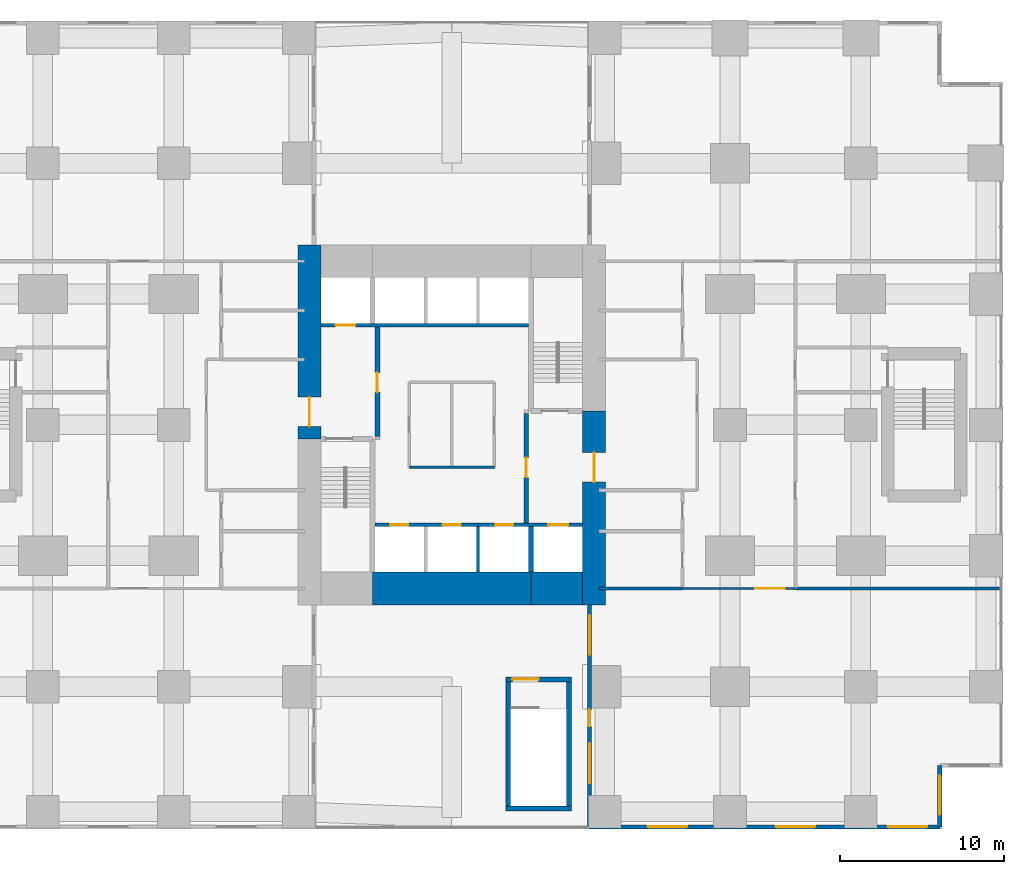
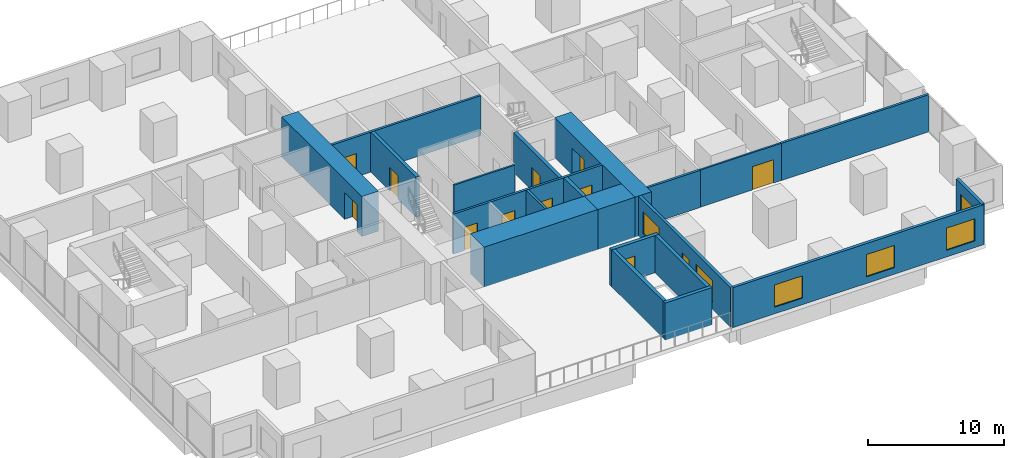
# One storey, part 11 of 15: 21 walls, 12 doors, 6 windows, 18 openings.
"""IFC4 building model written with IfcOpenShell, lengths in metres."""

import ifcopenshell
import ifcopenshell.guid

model = None  # the IFC model being written
_history = None  # IfcOwnerHistory: only IFC2X3 demands one
_inside = {}  # id of a spatial element -> (the spatial element, [elements in it])
_under = {}  # id of a project, library or spatial element -> (it, [spatial elements below it])
_declared = {}  # id of a project -> (the project, [libraries it declares])
_typed = {}  # id of a type object -> (the type object, [elements of that type])
_made_of = {}  # id of a material, layer set ... -> (it, [elements and type objects made of it])


def new_model(schema):
    """Start an empty IFC model of exactly this schema.

    Asked for "IFC4X3", IfcOpenShell would pick the latest addendum, in which some entities
    have other attributes; the version numbers below select the first issue.
    IFC2X3 requires an IfcOwnerHistory on every rooted entity: one is made here for all.
    """
    global model, _history
    if schema == "IFC4X3":
        model = ifcopenshell.file(schema_version=(4, 3, 0, 0))
    else:
        model = ifcopenshell.file(schema=schema)
    _inside.clear()
    _under.clear()
    _declared.clear()
    _typed.clear()
    _made_of.clear()
    _history = None
    if model.schema == "IFC2X3":
        org = make("IfcOrganization", Name="unknown")
        user = make(
            "IfcPersonAndOrganization",
            ThePerson=make("IfcPerson", FamilyName="unknown"),
            TheOrganization=org,
        )
        app = make(
            "IfcApplication",
            ApplicationDeveloper=org,
            Version="unknown",
            ApplicationFullName="unknown",
            ApplicationIdentifier="unknown",
        )
        _history = make(
            "IfcOwnerHistory",
            OwningUser=user,
            OwningApplication=app,
            ChangeAction="ADDED",
            CreationDate=0,
        )
    return model


def make(cls, **values):
    """One entity of the class cls with the attributes given. An attribute that is None is left unset."""
    return model.create_entity(
        cls, **{name: value for name, value in values.items() if value is not None}
    )


def rooted(cls, **values):
    """An entity with a GlobalId (a new one), such as an element, a storey or a relation."""
    return make(cls, GlobalId=ifcopenshell.guid.new(), OwnerHistory=_history, **values)


def si_unit(unit_type, name, prefix=None):
    """IfcSIUnit, for example si_unit("LENGTHUNIT", "METRE", prefix="MILLI")."""
    return make("IfcSIUnit", UnitType=unit_type, Prefix=prefix, Name=name)


def assignment(units):
    """IfcUnitAssignment: the units of a project."""
    return None if units is None else make("IfcUnitAssignment", Units=units)


def point(xyz):
    """IfcCartesianPoint."""
    return None if xyz is None else make("IfcCartesianPoint", Coordinates=xyz)


def direction(xyz):
    """IfcDirection."""
    return None if xyz is None else make("IfcDirection", DirectionRatios=xyz)


def frame(location, z_axis=None, x_axis=None):
    """IfcAxis2Placement3D, a coordinate frame: its origin and axes. An axis left out is left unset."""
    return make(
        "IfcAxis2Placement3D",
        Location=point(location),
        Axis=direction(z_axis),
        RefDirection=direction(x_axis),
    )


def frame_2d(location, x_axis=None):
    """IfcAxis2Placement2D, a coordinate frame in the plane: its origin and x axis."""
    return make(
        "IfcAxis2Placement2D", Location=point(location), RefDirection=direction(x_axis)
    )


def origin():
    """The frame at (0, 0, 0) with its axes left unset."""
    return frame((0.0, 0.0, 0.0))


def place(relative_to, where):
    """IfcLocalPlacement: puts the frame where relative to a parent placement (None: the world)."""
    return make(
        "IfcLocalPlacement", PlacementRelTo=relative_to, RelativePlacement=where
    )


def context(
    kind, dimensions, precision=None, world=None, true_north=None, identifier=None
):
    """IfcGeometricRepresentationContext, for example the 3D "Model" context."""
    return make(
        "IfcGeometricRepresentationContext",
        ContextIdentifier=identifier,
        ContextType=kind,
        CoordinateSpaceDimension=dimensions,
        Precision=precision,
        WorldCoordinateSystem=world,
        TrueNorth=true_north,
    )


def subcontext(parent, identifier, kind, view, scale=None):
    """IfcGeometricRepresentationSubContext, for example "Body" below "Model"."""
    return make(
        "IfcGeometricRepresentationSubContext",
        ContextIdentifier=identifier,
        ContextType=kind,
        ParentContext=parent,
        TargetScale=scale,
        TargetView=view,
    )


def project(units=None, contexts=None):
    """IfcProject with its units and contexts."""
    return rooted(
        "IfcProject",
        Name="project",
        RepresentationContexts=contexts,
        UnitsInContext=assignment(units),
    )


def spatial(cls, under=None, at=None, **own):
    """A site, building, storey or space (cls), placed at a placement, below another one or the project."""
    s = rooted(cls, ObjectPlacement=at, **own)
    if under is not None:
        _under.setdefault(under.id(), (under, []))[1].append(s)
    return s


def profile(cls, at=None, kind="AREA", **sizes):
    """A parametric profile (cls). Its sizes go by their IFC names, for example OverallWidth=200.0."""
    return make(cls, ProfileType=kind, Position=at, **sizes)


def rectangle(**sizes):
    """IfcRectangleProfileDef."""
    return profile("IfcRectangleProfileDef", **sizes)


def extrude(swept, where, along, depth):
    """IfcExtrudedAreaSolid: the profile swept, set in the frame where, extruded along a direction by depth."""
    return make(
        "IfcExtrudedAreaSolid",
        SweptArea=swept,
        Position=where,
        ExtrudedDirection=direction(along),
        Depth=depth,
    )


def shape(context_of_items, identifier, shape_type, items):
    """IfcShapeRepresentation: the items that make up one representation, for example the "Body"."""
    return make(
        "IfcShapeRepresentation",
        ContextOfItems=context_of_items,
        RepresentationIdentifier=identifier,
        RepresentationType=shape_type,
        Items=items,
    )


def material(Name=None, Category=None):
    """IfcMaterial."""
    return make("IfcMaterial", Name=Name, Category=Category)


def layer(
    of_material, thickness, ventilated=None, Name=None, Category=None, Priority=None
):
    """IfcMaterialLayer: one layer of a wall or slab, of a material (None: an air gap)."""
    return make(
        "IfcMaterialLayer",
        Material=of_material,
        LayerThickness=thickness,
        IsVentilated=ventilated,
        Name=Name,
        Category=Category,
        Priority=Priority,
    )


def layer_set(layers, Name=None):
    """IfcMaterialLayerSet."""
    return make("IfcMaterialLayerSet", MaterialLayers=layers, LayerSetName=Name)


def made_of(thing, what):
    """Note that an element or type object is made of a material, layer set ...; save() writes the relation."""
    if what is not None:
        _made_of.setdefault(what.id(), (what, []))[1].append(thing)
    return thing


def type_object(cls, material=None, **own):
    """A type object (cls), such as IfcWallType, which elements share."""
    return made_of(rooted(cls, **own), material)


def element(
    cls,
    number,
    at=None,
    inside=None,
    cuts=None,
    type_object=None,
    material=None,
    context=None,
    identifier="Body",
    shape_type=None,
    held_by="IfcProductDefinitionShape",
    body=None,
    shapes=None,
    **own,
):
    """One element of the class cls, such as IfcWall. Its Tag is "e" and its number.

    at: its placement. inside: the storey or other place that contains it. cuts: it is an
    opening in that element (IfcRelVoidsElement). A single representation is given by context,
    identifier, shape_type and body (its items); several are given by shapes. held_by: the class
    of the entity that holds the representations. save() writes the other relations.
    """
    e = rooted(cls, Tag="e%d" % number, ObjectPlacement=at, **own)
    if body is not None:
        shapes = [shape(context, identifier, shape_type, body)]
    if shapes is not None:
        e.Representation = make(held_by, Representations=shapes)
    if inside is not None:
        _inside.setdefault(inside.id(), (inside, []))[1].append(e)
    if cuts is not None:
        rooted(
            "IfcRelVoidsElement", RelatingBuildingElement=cuts, RelatedOpeningElement=e
        )
    if type_object is not None:
        _typed.setdefault(type_object.id(), (type_object, []))[1].append(e)
    return made_of(e, material)


def fill(opening, filler):
    """IfcRelFillsElement: the door or window that sits in an opening."""
    return rooted(
        "IfcRelFillsElement",
        RelatingOpeningElement=opening,
        RelatedBuildingElement=filler,
    )


def aggregate(whole, parts):
    """IfcRelAggregates: a whole, such as a stair, and the parts it consists of."""
    return rooted("IfcRelAggregates", RelatingObject=whole, RelatedObjects=parts)


def save(model, path):
    """Write the relations noted so far, then the file.

    IfcRelAggregates (storeys below a building ...), IfcRelContainedInSpatialStructure (elements
    in a storey), IfcRelDefinesByType, IfcRelAssociatesMaterial and IfcRelDeclares: one each for
    every whole, place, type object, material and project.
    """
    for whole, parts in _under.values():
        aggregate(whole, parts)
    for where, things in _inside.values():
        rooted(
            "IfcRelContainedInSpatialStructure",
            RelatedElements=things,
            RelatingStructure=where,
        )
    for kind, things in _typed.values():
        rooted("IfcRelDefinesByType", RelatedObjects=things, RelatingType=kind)
    for what, things in _made_of.values():
        rooted("IfcRelAssociatesMaterial", RelatedObjects=things, RelatingMaterial=what)
    for by, libraries in _declared.values():
        rooted("IfcRelDeclares", RelatingContext=by, RelatedDefinitions=libraries)
    model.write(path)


model = new_model("IFC4")

# Units and contexts
model_context = context("Model", 3, precision=1e-05, world=origin(), true_north=direction((0.0, 1.0)))
body_context = subcontext(model_context, "Body", "Model", "MODEL_VIEW")
ifc_project = project(units=[si_unit("LENGTHUNIT", "METRE"), si_unit("AREAUNIT", "SQUARE_METRE"), si_unit("VOLUMEUNIT", "CUBIC_METRE"), si_unit("PLANEANGLEUNIT", "RADIAN"), si_unit("MASSUNIT", "GRAM", prefix="KILO")], contexts=[model_context])

# Site, building, storey
site_placement = place(None, origin())
site = spatial("IfcSite", under=ifc_project, at=site_placement, CompositionType="ELEMENT")
building_placement = place(site_placement, origin())
building = spatial("IfcBuilding", under=site, at=building_placement, Name="Cleftline Residences", CompositionType="ELEMENT")
storey_placement = place(building_placement, frame((0.0, 0.0, 26.0)))
storey = spatial("IfcBuildingStorey", under=building, at=storey_placement, Name="L05", CompositionType="ELEMENT", Elevation=26.0)

# Wall, opening, door
ifc_material_1 = material(Name="Concrete B70", Category="concrete")
ifc_layer_1 = layer(ifc_material_1, 1.39990234375)
ifc_layer_set_1 = layer_set([ifc_layer_1], Name="CORE WALL 1400")
wall_type_1 = type_object("IfcWallType", Name="CORE WALL 1400", PredefinedType="SHEAR", material=ifc_layer_set_1)
wall_1_placement = place(storey_placement, frame((24.300048828125, 23.14990234375, 0.0), z_axis=(0.0, 0.0, 1.0), x_axis=(0.0, 1.0, 0.0)))
wall_1 = element("IfcWall", 1, at=wall_1_placement, inside=storey, type_object=wall_type_1, Name="Core wall W", PredefinedType="SHEAR", context=body_context, shape_type="SweptSolid", body=[
    extrude(rectangle(XDim=11.85009765625, YDim=1.39990234375, at=frame_2d((5.925048828125, 0.0))), origin(), (0.0, 0.0, 1.0), 3.60009765625),
])
opening_1_placement = place(wall_1_placement, frame((0.75, 0.0, 0.0)))
opening_1 = element("IfcOpeningElement", 2, at=opening_1_placement, cuts=wall_1, Name="Opening D7", PredefinedType="OPENING", context=body_context, shape_type="SweptSolid", body=[
    extrude(rectangle(XDim=1.800048828125, YDim=2.39990234375, at=frame_2d((0.89990234375, 1.199951171875))), frame((0.0, 0.7099609375, 0.0), z_axis=(0.0, -1.0, 0.0), x_axis=(1.0, 0.0, 0.0)), (0.0, 0.0, 1.0), 1.419921875),
])
ifc_material_2 = material(Name="Steel", Category="steel")
door_type_1 = type_object("IfcDoorType", Name="WING DOOR 1800X2400", OperationType="DOUBLE_DOOR_DOUBLE_SWING", PredefinedType="DOOR", material=ifc_material_2)
door_1_placement = place(opening_1_placement, origin())
door_1 = element("IfcDoor", 3, at=door_1_placement, inside=storey, type_object=door_type_1, Name="West wing door", OperationType="DOUBLE_DOOR_DOUBLE_SWING", OverallHeight=2.39990234375, OverallWidth=1.800048828125, PredefinedType="DOOR", context=body_context, shape_type="SweptSolid", body=[
    extrude(rectangle(XDim=1.800048828125, YDim=2.39990234375, at=frame_2d((0.89990234375, 1.199951171875))), frame((0.0, 0.02490234375, 0.0), z_axis=(0.0, -1.0, 0.0), x_axis=(1.0, 0.0, 0.0)), (0.0, 0.0, 1.0), 0.050048828125),
])
fill(opening_1, door_1)

wall_2_placement = place(storey_placement, frame((41.699951171875, 13.0, 0.0), z_axis=(0.0, 0.0, 1.0), x_axis=(0.0, 1.0, 0.0)))
wall_2 = element("IfcWall", 4, at=wall_2_placement, inside=storey, type_object=wall_type_1, Name="Core wall E", PredefinedType="SHEAR", context=body_context, shape_type="SweptSolid", body=[
    extrude(rectangle(XDim=11.85009765625, YDim=1.39990234375, at=frame_2d((5.925048828125, 0.0))), origin(), (0.0, 0.0, 1.0), 3.60009765625),
])
opening_2_placement = place(wall_2_placement, frame((7.5, 0.0, 0.0)))
opening_2 = element("IfcOpeningElement", 5, at=opening_2_placement, cuts=wall_2, Name="Opening D7", PredefinedType="OPENING", context=body_context, shape_type="SweptSolid", body=[
    extrude(rectangle(XDim=1.800048828125, YDim=2.39990234375, at=frame_2d((0.89990234375, 1.199951171875))), frame((0.0, 0.7099609375, 0.0), z_axis=(0.0, -1.0, 0.0), x_axis=(1.0, 0.0, 0.0)), (0.0, 0.0, 1.0), 1.419921875),
])
door_2_placement = place(opening_2_placement, origin())
door_2 = element("IfcDoor", 6, at=door_2_placement, inside=storey, type_object=door_type_1, Name="East wing door", OperationType="DOUBLE_DOOR_DOUBLE_SWING", OverallHeight=2.39990234375, OverallWidth=1.800048828125, PredefinedType="DOOR", context=body_context, shape_type="SweptSolid", body=[
    extrude(rectangle(XDim=1.800048828125, YDim=2.39990234375, at=frame_2d((0.89990234375, 1.199951171875))), frame((0.0, 0.02490234375, 0.0), z_axis=(0.0, -1.0, 0.0), x_axis=(1.0, 0.0, 0.0)), (0.0, 0.0, 1.0), 0.050048828125),
])
fill(opening_2, door_2)

# Walls
ifc_material_3 = material(Name="Concrete B70", Category="concrete")
ifc_layer_2 = layer(ifc_material_3, 2.0)
ifc_layer_set_2 = layer_set([ifc_layer_2], Name="CORE WALL 2000")
wall_type_2 = type_object("IfcWallType", Name="CORE WALL 2000", PredefinedType="SHEAR", material=ifc_layer_set_2)
wall_3_placement = place(storey_placement, frame((28.14990234375, 14.0, 0.0), z_axis=(0.0, 0.0, 1.0), x_axis=(1.0, 0.0, 0.0)))
element("IfcWall", 7, at=wall_3_placement, inside=storey, type_object=wall_type_2, Name="Core wall S2", PredefinedType="SHEAR", context=body_context, shape_type="SweptSolid", body=[
    extrude(rectangle(XDim=9.7001953125, YDim=2.0, at=frame_2d((4.85009765625, 0.0))), origin(), (0.0, 0.0, 1.0), 3.60009765625),
])
wall_4_placement = place(storey_placement, frame((37.85009765625, 14.0, 0.0), z_axis=(0.0, 0.0, 1.0), x_axis=(1.0, 0.0, 0.0)))
element("IfcWall", 8, at=wall_4_placement, inside=storey, type_object=wall_type_2, Name="Core wall S3", PredefinedType="SHEAR", context=body_context, shape_type="SweptSolid", body=[
    extrude(rectangle(XDim=3.14990234375, YDim=2.0, at=frame_2d((1.574951171875, 0.0))), origin(), (0.0, 0.0, 1.0), 3.60009765625),
])
ifc_material_4 = material(Name="Concrete B70", Category="concrete")
ifc_layer_3 = layer(ifc_material_4, 0.300048828125)
ifc_layer_set_3 = layer_set([ifc_layer_3], Name="CORE WALL 300")
wall_type_3 = type_object("IfcWallType", Name="CORE WALL 300", PredefinedType="SHEAR", material=ifc_layer_set_3)
wall_5_placement = place(storey_placement, frame((37.85009765625, 15.0, 0.0), z_axis=(0.0, 0.0, 1.0), x_axis=(0.0, 1.0, 0.0)))
element("IfcWall", 9, at=wall_5_placement, inside=storey, type_object=wall_type_3, Name="Lift shaft wall", PredefinedType="SHEAR", context=body_context, shape_type="SweptSolid", body=[
    extrude(rectangle(XDim=2.800048828125, YDim=0.300048828125, at=frame_2d((1.39990234375, 0.0))), origin(), (0.0, 0.0, 1.0), 3.60009765625),
])

# Wall, openings, door, windows
ifc_material_5 = material(Name="Rendered reinforced concrete blockwork", Category="masonry")
ifc_layer_4 = layer(ifc_material_5, 0.25)
ifc_layer_set_4 = layer_set([ifc_layer_4], Name="EXTERNAL WALL 250")
wall_type_4 = type_object("IfcWallType", Name="EXTERNAL WALL 250", PredefinedType="SOLIDWALL", material=ifc_layer_set_4)
wall_6_placement = place(storey_placement, frame((41.425048828125, 13.0, 0.0), z_axis=(0.0, 0.0, 1.0), x_axis=(0.0, -1.0, 0.0)))
wall_6 = element("IfcWall", 10, at=wall_6_placement, inside=storey, type_object=wall_type_4, Name="External wall", PredefinedType="SOLIDWALL", context=body_context, shape_type="SweptSolid", body=[
    extrude(rectangle(XDim=13.574951171875, YDim=0.25, at=frame_2d((6.78759765625, 0.0))), origin(), (0.0, 0.0, 1.0), 3.60009765625),
])
opening_3_placement = place(wall_6_placement, frame((6.425048828125, 0.0, 0.0)))
opening_3 = element("IfcOpeningElement", 11, at=opening_3_placement, cuts=wall_6, Name="Opening DT1", PredefinedType="OPENING", context=body_context, shape_type="SweptSolid", body=[
    extrude(rectangle(XDim=1.0, YDim=2.39990234375, at=frame_2d((0.5, 1.199951171875))), frame((0.0, 0.135009765625, 0.0), z_axis=(0.0, -1.0, 0.0), x_axis=(1.0, 0.0, 0.0)), (0.0, 0.0, 1.0), 0.27001953125),
])
opening_4_placement = place(wall_6_placement, frame((0.64990234375, 0.0, 0.60009765625)))
opening_4 = element("IfcOpeningElement", 12, at=opening_4_placement, cuts=wall_6, Name="Opening W6", PredefinedType="OPENING", context=body_context, shape_type="SweptSolid", body=[
    extrude(rectangle(XDim=2.39990234375, YDim=2.0, at=frame_2d((1.199951171875, 1.0))), frame((0.0, 0.135009765625, 0.0), z_axis=(0.0, -1.0, 0.0), x_axis=(1.0, 0.0, 0.0)), (0.0, 0.0, 1.0), 0.27001953125),
])
opening_5_placement = place(wall_6_placement, frame((8.487548828125, 0.0, 0.60009765625)))
opening_5 = element("IfcOpeningElement", 13, at=opening_5_placement, cuts=wall_6, Name="Opening W6", PredefinedType="OPENING", context=body_context, shape_type="SweptSolid", body=[
    extrude(rectangle(XDim=2.39990234375, YDim=2.0, at=frame_2d((1.199951171875, 1.0))), frame((0.0, 0.135009765625, 0.0), z_axis=(0.0, -1.0, 0.0), x_axis=(1.0, 0.0, 0.0)), (0.0, 0.0, 1.0), 0.27001953125),
])
ifc_material_6 = material(Name="Aluminium and laminated glass", Category="aluminium")
door_type_2 = type_object("IfcDoorType", Name="TERRACE DOOR 1000X2400", OperationType="SINGLE_SWING_LEFT", PredefinedType="DOOR", material=ifc_material_6)
door_3_placement = place(opening_3_placement, origin())
door_3 = element("IfcDoor", 14, at=door_3_placement, inside=storey, type_object=door_type_2, Name="Terrace door", OperationType="SINGLE_SWING_LEFT", OverallHeight=2.39990234375, OverallWidth=1.0, PredefinedType="DOOR", context=body_context, shape_type="SweptSolid", body=[
    extrude(rectangle(XDim=1.0, YDim=2.39990234375, at=frame_2d((0.5, 1.199951171875))), frame((0.0, 0.02490234375, 0.0), z_axis=(0.0, -1.0, 0.0), x_axis=(1.0, 0.0, 0.0)), (0.0, 0.0, 1.0), 0.050048828125),
])
fill(opening_3, door_3)
ifc_material_7 = material(Name="Aluminium frame, clear double glazing", Category="aluminium")
window_type = type_object("IfcWindowType", Name="WINDOW 2400X2000", PartitioningType="DOUBLE_PANEL_VERTICAL", PredefinedType="WINDOW", material=ifc_material_7)
window_1_placement = place(opening_4_placement, origin())
window_1 = element("IfcWindow", 15, at=window_1_placement, inside=storey, type_object=window_type, Name="Window", OverallHeight=2.0, OverallWidth=2.39990234375, PartitioningType="SINGLE_PANEL", PredefinedType="WINDOW", context=body_context, shape_type="SweptSolid", body=[
    extrude(rectangle(XDim=2.39990234375, YDim=2.0, at=frame_2d((1.199951171875, 1.0))), frame((0.0, 0.030029296875, 0.0), z_axis=(0.0, -1.0, 0.0), x_axis=(1.0, 0.0, 0.0)), (0.0, 0.0, 1.0), 0.06005859375),
])
fill(opening_4, window_1)
window_2_placement = place(opening_5_placement, origin())
window_2 = element("IfcWindow", 16, at=window_2_placement, inside=storey, type_object=window_type, Name="Window", OverallHeight=2.0, OverallWidth=2.39990234375, PartitioningType="SINGLE_PANEL", PredefinedType="WINDOW", context=body_context, shape_type="SweptSolid", body=[
    extrude(rectangle(XDim=2.39990234375, YDim=2.0, at=frame_2d((1.199951171875, 1.0))), frame((0.0, 0.030029296875, 0.0), z_axis=(0.0, -1.0, 0.0), x_axis=(1.0, 0.0, 0.0)), (0.0, 0.0, 1.0), 0.06005859375),
])
fill(opening_5, window_2)

# Wall, openings, windows
wall_7_placement = place(storey_placement, frame((41.425048828125, -0.574951171875, 0.0), z_axis=(0.0, 0.0, 1.0), x_axis=(1.0, 0.0, 0.0)))
wall_7 = element("IfcWall", 17, at=wall_7_placement, inside=storey, type_object=wall_type_4, Name="External wall", PredefinedType="SOLIDWALL", context=body_context, shape_type="SweptSolid", body=[
    extrude(rectangle(XDim=21.39990234375, YDim=0.25, at=frame_2d((10.699951171875, 0.0))), origin(), (0.0, 0.0, 1.0), 3.60009765625),
])
opening_6_placement = place(wall_7_placement, frame((3.550048828125, 0.0, 0.60009765625)))
opening_6 = element("IfcOpeningElement", 18, at=opening_6_placement, cuts=wall_7, Name="Opening W6", PredefinedType="OPENING", context=body_context, shape_type="SweptSolid", body=[
    extrude(rectangle(XDim=2.39990234375, YDim=2.0, at=frame_2d((1.199951171875, 1.0))), frame((0.0, 0.135009765625, 0.0), z_axis=(0.0, -1.0, 0.0), x_axis=(1.0, 0.0, 0.0)), (0.0, 0.0, 1.0), 0.27001953125),
])
opening_7_placement = place(wall_7_placement, frame((11.375, 0.0, 0.60009765625)))
opening_7 = element("IfcOpeningElement", 19, at=opening_7_placement, cuts=wall_7, Name="Opening W6", PredefinedType="OPENING", context=body_context, shape_type="SweptSolid", body=[
    extrude(rectangle(XDim=2.39990234375, YDim=2.0, at=frame_2d((1.199951171875, 1.0))), frame((0.0, 0.135009765625, 0.0), z_axis=(0.0, -1.0, 0.0), x_axis=(1.0, 0.0, 0.0)), (0.0, 0.0, 1.0), 0.27001953125),
])
opening_8_placement = place(wall_7_placement, frame((18.22509765625, 0.0, 0.60009765625)))
opening_8 = element("IfcOpeningElement", 20, at=opening_8_placement, cuts=wall_7, Name="Opening W6", PredefinedType="OPENING", context=body_context, shape_type="SweptSolid", body=[
    extrude(rectangle(XDim=2.39990234375, YDim=2.0, at=frame_2d((1.199951171875, 1.0))), frame((0.0, 0.135009765625, 0.0), z_axis=(0.0, -1.0, 0.0), x_axis=(1.0, 0.0, 0.0)), (0.0, 0.0, 1.0), 0.27001953125),
])
window_3_placement = place(opening_6_placement, origin())
window_3 = element("IfcWindow", 21, at=window_3_placement, inside=storey, type_object=window_type, Name="Window", OverallHeight=2.0, OverallWidth=2.39990234375, PartitioningType="SINGLE_PANEL", PredefinedType="WINDOW", context=body_context, shape_type="SweptSolid", body=[
    extrude(rectangle(XDim=2.39990234375, YDim=2.0, at=frame_2d((1.199951171875, 1.0))), frame((0.0, 0.030029296875, 0.0), z_axis=(0.0, -1.0, 0.0), x_axis=(1.0, 0.0, 0.0)), (0.0, 0.0, 1.0), 0.06005859375),
])
fill(opening_6, window_3)
window_4_placement = place(opening_7_placement, origin())
window_4 = element("IfcWindow", 22, at=window_4_placement, inside=storey, type_object=window_type, Name="Window", OverallHeight=2.0, OverallWidth=2.39990234375, PartitioningType="SINGLE_PANEL", PredefinedType="WINDOW", context=body_context, shape_type="SweptSolid", body=[
    extrude(rectangle(XDim=2.39990234375, YDim=2.0, at=frame_2d((1.199951171875, 1.0))), frame((0.0, 0.030029296875, 0.0), z_axis=(0.0, -1.0, 0.0), x_axis=(1.0, 0.0, 0.0)), (0.0, 0.0, 1.0), 0.06005859375),
])
fill(opening_7, window_4)
window_5_placement = place(opening_8_placement, origin())
window_5 = element("IfcWindow", 23, at=window_5_placement, inside=storey, type_object=window_type, Name="Window", OverallHeight=2.0, OverallWidth=2.39990234375, PartitioningType="SINGLE_PANEL", PredefinedType="WINDOW", context=body_context, shape_type="SweptSolid", body=[
    extrude(rectangle(XDim=2.39990234375, YDim=2.0, at=frame_2d((1.199951171875, 1.0))), frame((0.0, 0.030029296875, 0.0), z_axis=(0.0, -1.0, 0.0), x_axis=(1.0, 0.0, 0.0)), (0.0, 0.0, 1.0), 0.06005859375),
])
fill(opening_8, window_5)

# Wall, opening, window
wall_8_placement = place(storey_placement, frame((62.824951171875, -0.574951171875, 0.0), z_axis=(0.0, 0.0, 1.0), x_axis=(0.0, 1.0, 0.0)))
wall_8 = element("IfcWall", 24, at=wall_8_placement, inside=storey, type_object=wall_type_4, Name="External wall", PredefinedType="SOLIDWALL", context=body_context, shape_type="SweptSolid", body=[
    extrude(rectangle(XDim=3.75, YDim=0.25, at=frame_2d((1.875, 0.0))), origin(), (0.0, 0.0, 1.0), 3.60009765625),
])
opening_9_placement = place(wall_8_placement, frame((0.737548828125, 0.0, 0.60009765625)))
opening_9 = element("IfcOpeningElement", 25, at=opening_9_placement, cuts=wall_8, Name="Opening W6", PredefinedType="OPENING", context=body_context, shape_type="SweptSolid", body=[
    extrude(rectangle(XDim=2.39990234375, YDim=2.0, at=frame_2d((1.199951171875, 1.0))), frame((0.0, 0.135009765625, 0.0), z_axis=(0.0, -1.0, 0.0), x_axis=(1.0, 0.0, 0.0)), (0.0, 0.0, 1.0), 0.27001953125),
])
window_6_placement = place(opening_9_placement, origin())
window_6 = element("IfcWindow", 26, at=window_6_placement, inside=storey, type_object=window_type, Name="Window", OverallHeight=2.0, OverallWidth=2.39990234375, PartitioningType="SINGLE_PANEL", PredefinedType="WINDOW", context=body_context, shape_type="SweptSolid", body=[
    extrude(rectangle(XDim=2.39990234375, YDim=2.0, at=frame_2d((1.199951171875, 1.0))), frame((0.0, 0.030029296875, 0.0), z_axis=(0.0, -1.0, 0.0), x_axis=(1.0, 0.0, 0.0)), (0.0, 0.0, 1.0), 0.06005859375),
])
fill(opening_9, window_6)

# Walls
ifc_material_8 = material(Name="Concrete blockwork, fire rated", Category="masonry")
ifc_layer_5 = layer(ifc_material_8, 0.199951171875)
ifc_layer_set_5 = layer_set([ifc_layer_5], Name="FIRE WALL 200")
wall_type_5 = type_object("IfcWallType", Name="FIRE WALL 200", PredefinedType="PARTITIONING", material=ifc_layer_set_5)
wall_9_placement = place(storey_placement, frame((42.0, 14.0, 0.0), z_axis=(0.0, 0.0, 1.0), x_axis=(1.0, 0.0, 0.0)))
element("IfcWall", 27, at=wall_9_placement, inside=storey, type_object=wall_type_5, Name="Fire separating wall", PredefinedType="PARTITIONING", context=body_context, shape_type="SweptSolid", body=[
    extrude(rectangle(XDim=5.10009765625, YDim=0.199951171875, at=frame_2d((2.550048828125, 0.0))), origin(), (0.0, 0.0, 1.0), 3.35009765625),
])
wall_10_placement = place(storey_placement, frame((54.0, 14.0, 0.0), z_axis=(0.0, 0.0, 1.0), x_axis=(1.0, 0.0, 0.0)))
element("IfcWall", 28, at=wall_10_placement, inside=storey, type_object=wall_type_5, Name="Fire separating wall", PredefinedType="PARTITIONING", context=body_context, shape_type="SweptSolid", body=[
    extrude(rectangle(XDim=12.56103515625, YDim=0.199951171875, at=frame_2d((6.280517578125, 0.0))), origin(), (0.0, 0.0, 1.0), 3.35009765625),
])

# Wall, opening, door
ifc_material_9 = material(Name="Gypsum board on steel studs", Category="steel")
ifc_layer_6 = layer(ifc_material_9, 0.14990234375)
ifc_layer_set_6 = layer_set([ifc_layer_6], Name="PARTITION 150")
wall_type_6 = type_object("IfcWallType", Name="PARTITION 150", PredefinedType="PARTITIONING", material=ifc_layer_set_6)
wall_11_placement = place(storey_placement, frame((47.10009765625, 14.0, 0.0), z_axis=(0.0, 0.0, 1.0), x_axis=(1.0, 0.0, 0.0)))
wall_11 = element("IfcWall", 29, at=wall_11_placement, inside=storey, type_object=wall_type_6, Name="Partition", PredefinedType="PARTITIONING", context=body_context, shape_type="SweptSolid", body=[
    extrude(rectangle(XDim=6.89990234375, YDim=0.14990234375, at=frame_2d((3.449951171875, 0.0))), origin(), (0.0, 0.0, 1.0), 3.35009765625),
])
opening_10_placement = place(wall_11_placement, frame((4.449951171875, 0.0, 0.0)))
opening_10 = element("IfcOpeningElement", 30, at=opening_10_placement, cuts=wall_11, Name="Opening D3", PredefinedType="OPENING", context=body_context, shape_type="SweptSolid", body=[
    extrude(rectangle(XDim=1.800048828125, YDim=2.10009765625, at=frame_2d((0.89990234375, 1.050048828125))), frame((0.0, 0.0849609375, 0.0), z_axis=(0.0, -1.0, 0.0), x_axis=(1.0, 0.0, 0.0)), (0.0, 0.0, 1.0), 0.169921875),
])
ifc_material_10 = material(Name="Timber veneer on solid core", Category="wood")
door_type_3 = type_object("IfcDoorType", Name="DOUBLE DOOR 1800X2100", OperationType="DOUBLE_DOOR_DOUBLE_SWING", PredefinedType="DOOR", material=ifc_material_10)
door_4_placement = place(opening_10_placement, origin())
door_4 = element("IfcDoor", 31, at=door_4_placement, inside=storey, type_object=door_type_3, Name="Door to children's playroom", OperationType="DOUBLE_DOOR_DOUBLE_SWING", OverallHeight=2.10009765625, OverallWidth=1.800048828125, PredefinedType="DOOR", context=body_context, shape_type="SweptSolid", body=[
    extrude(rectangle(XDim=1.800048828125, YDim=2.10009765625, at=frame_2d((0.89990234375, 1.050048828125))), frame((0.0, 0.02490234375, 0.0), z_axis=(0.0, -1.0, 0.0), x_axis=(1.0, 0.0, 0.0)), (0.0, 0.0, 1.0), 0.050048828125),
])
fill(opening_10, door_4)

# Wall
ifc_material_11 = material(Name="Fire-resisting gypsum board on steel studs", Category="steel")
ifc_layer_7 = layer(ifc_material_11, 0.14990234375)
ifc_layer_set_7 = layer_set([ifc_layer_7], Name="PARTITION 150 EI 60")
wall_type_7 = type_object("IfcWallType", Name="PARTITION 150 EI 60", PredefinedType="PARTITIONING", material=ifc_layer_set_7)
wall_12_placement = place(storey_placement, frame((30.39990234375, 21.39990234375, 0.0), z_axis=(0.0, 0.0, 1.0), x_axis=(1.0, 0.0, 0.0)))
element("IfcWall", 32, at=wall_12_placement, inside=storey, type_object=wall_type_7, Name="Core room partition", PredefinedType="PARTITIONING", context=body_context, shape_type="SweptSolid", body=[
    extrude(rectangle(XDim=5.2001953125, YDim=0.14990234375, at=frame_2d((2.60009765625, 0.0))), origin(), (0.0, 0.0, 1.0), 3.35009765625),
])

# Wall, openings, doors
ifc_material_12 = material(Name="Concrete blockwork, fire rated", Category="masonry")
ifc_layer_8 = layer(ifc_material_12, 0.199951171875)
ifc_layer_set_8 = layer_set([ifc_layer_8], Name="SHAFT WALL 200")
wall_type_8 = type_object("IfcWallType", Name="SHAFT WALL 200", PredefinedType="PARTITIONING", material=ifc_layer_set_8)
wall_13_placement = place(storey_placement, frame((28.300048828125, 17.89990234375, 0.0), z_axis=(0.0, 0.0, 1.0), x_axis=(1.0, 0.0, 0.0)))
wall_13 = element("IfcWall", 33, at=wall_13_placement, inside=storey, type_object=wall_type_8, Name="Lift shaft wall", PredefinedType="PARTITIONING", context=body_context, shape_type="SweptSolid", body=[
    extrude(rectangle(XDim=12.699951171875, YDim=0.199951171875, at=frame_2d((6.35009765625, 0.0))), origin(), (0.0, 0.0, 1.0), 3.60009765625),
])
opening_11_placement = place(wall_13_placement, frame((0.949951171875, 0.0, 0.0)))
opening_11 = element("IfcOpeningElement", 34, at=opening_11_placement, cuts=wall_13, Name="Opening LD1", PredefinedType="OPENING", context=body_context, shape_type="SweptSolid", body=[
    extrude(rectangle(XDim=1.10009765625, YDim=2.10009765625, at=frame_2d((0.550048828125, 1.050048828125))), frame((0.0, 0.10986328125, 0.0), z_axis=(0.0, -1.0, 0.0), x_axis=(1.0, 0.0, 0.0)), (0.0, 0.0, 1.0), 0.219970703125),
])
opening_12_placement = place(wall_13_placement, frame((4.14990234375, 0.0, 0.0)))
opening_12 = element("IfcOpeningElement", 35, at=opening_12_placement, cuts=wall_13, Name="Opening LD1", PredefinedType="OPENING", context=body_context, shape_type="SweptSolid", body=[
    extrude(rectangle(XDim=1.10009765625, YDim=2.10009765625, at=frame_2d((0.550048828125, 1.050048828125))), frame((0.0, 0.10986328125, 0.0), z_axis=(0.0, -1.0, 0.0), x_axis=(1.0, 0.0, 0.0)), (0.0, 0.0, 1.0), 0.219970703125),
])
opening_13_placement = place(wall_13_placement, frame((7.35009765625, 0.0, 0.0)))
opening_13 = element("IfcOpeningElement", 36, at=opening_13_placement, cuts=wall_13, Name="Opening LD1", PredefinedType="OPENING", context=body_context, shape_type="SweptSolid", body=[
    extrude(rectangle(XDim=1.10009765625, YDim=2.10009765625, at=frame_2d((0.550048828125, 1.050048828125))), frame((0.0, 0.10986328125, 0.0), z_axis=(0.0, -1.0, 0.0), x_axis=(1.0, 0.0, 0.0)), (0.0, 0.0, 1.0), 0.219970703125),
])
opening_14_placement = place(wall_13_placement, frame((10.60009765625, 0.0, 0.0)))
opening_14 = element("IfcOpeningElement", 37, at=opening_14_placement, cuts=wall_13, Name="Opening LD2", PredefinedType="OPENING", context=body_context, shape_type="SweptSolid", body=[
    extrude(rectangle(XDim=1.199951171875, YDim=2.10009765625, at=frame_2d((0.60009765625, 1.050048828125))), frame((0.0, 0.10986328125, 0.0), z_axis=(0.0, -1.0, 0.0), x_axis=(1.0, 0.0, 0.0)), (0.0, 0.0, 1.0), 0.219970703125),
])
ifc_material_13 = material(Name="Steel", Category="steel")
door_type_4 = type_object("IfcDoorType", Name="FIREFIGHTING LIFT LANDING DOOR 1200X2100", OperationType="SLIDING_TO_LEFT", PredefinedType="DOOR", material=ifc_material_13)
door_5_placement = place(opening_14_placement, origin())
door_5 = element("IfcDoor", 38, at=door_5_placement, inside=storey, type_object=door_type_4, Name="Lift FL2 landing door", OperationType="SLIDING_TO_LEFT", OverallHeight=2.10009765625, OverallWidth=1.199951171875, PredefinedType="DOOR", context=body_context, shape_type="SweptSolid", body=[
    extrude(rectangle(XDim=1.199951171875, YDim=2.10009765625, at=frame_2d((0.60009765625, 1.050048828125))), frame((0.0, 0.02490234375, 0.0), z_axis=(0.0, -1.0, 0.0), x_axis=(1.0, 0.0, 0.0)), (0.0, 0.0, 1.0), 0.050048828125),
])
fill(opening_14, door_5)
ifc_material_14 = material(Name="Steel", Category="steel")
door_type_5 = type_object("IfcDoorType", Name="LIFT LANDING DOOR 1100X2100", OperationType="SLIDING_TO_LEFT", PredefinedType="DOOR", material=ifc_material_14)
door_6_placement = place(opening_11_placement, origin())
door_6 = element("IfcDoor", 39, at=door_6_placement, inside=storey, type_object=door_type_5, Name="Lift P1 landing door", OperationType="SLIDING_TO_LEFT", OverallHeight=2.10009765625, OverallWidth=1.10009765625, PredefinedType="DOOR", context=body_context, shape_type="SweptSolid", body=[
    extrude(rectangle(XDim=1.10009765625, YDim=2.10009765625, at=frame_2d((0.550048828125, 1.050048828125))), frame((0.0, 0.02490234375, 0.0), z_axis=(0.0, -1.0, 0.0), x_axis=(1.0, 0.0, 0.0)), (0.0, 0.0, 1.0), 0.050048828125),
])
fill(opening_11, door_6)
door_7_placement = place(opening_12_placement, origin())
door_7 = element("IfcDoor", 40, at=door_7_placement, inside=storey, type_object=door_type_5, Name="Lift P2 landing door", OperationType="SLIDING_TO_LEFT", OverallHeight=2.10009765625, OverallWidth=1.10009765625, PredefinedType="DOOR", context=body_context, shape_type="SweptSolid", body=[
    extrude(rectangle(XDim=1.10009765625, YDim=2.10009765625, at=frame_2d((0.550048828125, 1.050048828125))), frame((0.0, 0.02490234375, 0.0), z_axis=(0.0, -1.0, 0.0), x_axis=(1.0, 0.0, 0.0)), (0.0, 0.0, 1.0), 0.050048828125),
])
fill(opening_12, door_7)
door_8_placement = place(opening_13_placement, origin())
door_8 = element("IfcDoor", 41, at=door_8_placement, inside=storey, type_object=door_type_5, Name="Lift P3 landing door", OperationType="SLIDING_TO_LEFT", OverallHeight=2.10009765625, OverallWidth=1.10009765625, PredefinedType="DOOR", context=body_context, shape_type="SweptSolid", body=[
    extrude(rectangle(XDim=1.10009765625, YDim=2.10009765625, at=frame_2d((0.550048828125, 1.050048828125))), frame((0.0, 0.02490234375, 0.0), z_axis=(0.0, -1.0, 0.0), x_axis=(1.0, 0.0, 0.0)), (0.0, 0.0, 1.0), 0.050048828125),
])
fill(opening_13, door_8)

# Wall, opening, door
wall_14_placement = place(storey_placement, frame((25.0, 30.10009765625, 0.0), z_axis=(0.0, 0.0, 1.0), x_axis=(1.0, 0.0, 0.0)))
wall_14 = element("IfcWall", 42, at=wall_14_placement, inside=storey, type_object=wall_type_8, Name="Lift shaft wall", PredefinedType="PARTITIONING", context=body_context, shape_type="SweptSolid", body=[
    extrude(rectangle(XDim=12.699951171875, YDim=0.199951171875, at=frame_2d((6.35009765625, 0.0))), origin(), (0.0, 0.0, 1.0), 3.60009765625),
])
opening_15_placement = place(wall_14_placement, frame((0.89990234375, 0.0, 0.0)))
opening_15 = element("IfcOpeningElement", 43, at=opening_15_placement, cuts=wall_14, Name="Opening LD2", PredefinedType="OPENING", context=body_context, shape_type="SweptSolid", body=[
    extrude(rectangle(XDim=1.199951171875, YDim=2.10009765625, at=frame_2d((0.60009765625, 1.050048828125))), frame((0.0, 0.10986328125, 0.0), z_axis=(0.0, -1.0, 0.0), x_axis=(1.0, 0.0, 0.0)), (0.0, 0.0, 1.0), 0.219970703125),
])
door_9_placement = place(opening_15_placement, origin())
door_9 = element("IfcDoor", 44, at=door_9_placement, inside=storey, type_object=door_type_4, Name="Lift FL1 landing door", OperationType="SLIDING_TO_LEFT", OverallHeight=2.10009765625, OverallWidth=1.199951171875, PredefinedType="DOOR", context=body_context, shape_type="SweptSolid", body=[
    extrude(rectangle(XDim=1.199951171875, YDim=2.10009765625, at=frame_2d((0.60009765625, 1.050048828125))), frame((0.0, 0.02490234375, 0.0), z_axis=(0.0, -1.0, 0.0), x_axis=(1.0, 0.0, 0.0)), (0.0, 0.0, 1.0), 0.050048828125),
])
fill(opening_15, door_9)

# Walls
wall_15_placement = place(storey_placement, frame((34.60009765625, 15.0, 0.0), z_axis=(0.0, 0.0, 1.0), x_axis=(0.0, 1.0, 0.0)))
element("IfcWall", 45, at=wall_15_placement, inside=storey, type_object=wall_type_8, Name="Lift shaft wall", PredefinedType="PARTITIONING", context=body_context, shape_type="SweptSolid", body=[
    extrude(rectangle(XDim=2.800048828125, YDim=0.199951171875, at=frame_2d((1.39990234375, 0.0))), origin(), (0.0, 0.0, 1.0), 3.60009765625),
])
ifc_material_15 = material(Name="Concrete blockwork, fire rated", Category="masonry")
ifc_layer_9 = layer(ifc_material_15, 0.300048828125)
ifc_layer_set_9 = layer_set([ifc_layer_9], Name="STAIR ENCLOSURE WALL 300")
wall_type_9 = type_object("IfcWallType", Name="STAIR ENCLOSURE WALL 300", PredefinedType="PARTITIONING", material=ifc_layer_set_9)
wall_16_placement = place(storey_placement, frame((36.300048828125, 0.550048828125, 0.0), z_axis=(0.0, 0.0, 1.0), x_axis=(1.0, 0.0, 0.0)))
element("IfcWall", 46, at=wall_16_placement, inside=storey, type_object=wall_type_9, Name="Stair C2 enclosure", PredefinedType="PARTITIONING", context=body_context, shape_type="SweptSolid", body=[
    extrude(rectangle(XDim=4.0, YDim=0.300048828125, at=frame_2d((2.0, 0.0))), origin(), (0.0, 0.0, 1.0), 3.35009765625),
])

# Wall, opening, door
wall_17_placement = place(storey_placement, frame((36.300048828125, 8.449951171875, 0.0), z_axis=(0.0, 0.0, 1.0), x_axis=(1.0, 0.0, 0.0)))
wall_17 = element("IfcWall", 47, at=wall_17_placement, inside=storey, type_object=wall_type_9, Name="Stair C2 enclosure", PredefinedType="PARTITIONING", context=body_context, shape_type="SweptSolid", body=[
    extrude(rectangle(XDim=4.0, YDim=0.300048828125, at=frame_2d((2.0, 0.0))), origin(), (0.0, 0.0, 1.0), 3.35009765625),
])
opening_16_placement = place(wall_17_placement, frame((0.39990234375, 0.0, 0.0)))
opening_16 = element("IfcOpeningElement", 48, at=opening_16_placement, cuts=wall_17, Name="Opening D9", PredefinedType="OPENING", context=body_context, shape_type="SweptSolid", body=[
    extrude(rectangle(XDim=1.60009765625, YDim=2.10009765625, at=frame_2d((0.800048828125, 1.050048828125))), frame((0.0, 0.159912109375, 0.0), z_axis=(0.0, -1.0, 0.0), x_axis=(1.0, 0.0, 0.0)), (0.0, 0.0, 1.0), 0.320068359375),
])
ifc_material_16 = material(Name="Steel", Category="steel")
door_type_6 = type_object("IfcDoorType", Name="STAIR DOOR 1600X2100", OperationType="DOUBLE_DOOR_SINGLE_SWING", PredefinedType="DOOR", material=ifc_material_16)
door_10_placement = place(opening_16_placement, origin())
door_10 = element("IfcDoor", 49, at=door_10_placement, inside=storey, type_object=door_type_6, Name="Stair C2 door", OperationType="DOUBLE_DOOR_SINGLE_SWING", OverallHeight=2.10009765625, OverallWidth=1.60009765625, PredefinedType="DOOR", context=body_context, shape_type="SweptSolid", body=[
    extrude(rectangle(XDim=1.60009765625, YDim=2.10009765625, at=frame_2d((0.800048828125, 1.050048828125))), frame((0.0, 0.02490234375, 0.0), z_axis=(0.0, -1.0, 0.0), x_axis=(1.0, 0.0, 0.0)), (0.0, 0.0, 1.0), 0.050048828125),
])
fill(opening_16, door_10)

# Walls
for number, where, z_axis, x_axis, name in (
    (50, (36.449951171875, 0.699951171875, 0.0), (0.0, 0.0, 1.0), (0.0, 1.0, 0.0), "Stair C2 enclosure"),
    (51, (40.14990234375, 0.699951171875, 0.0), (0.0, 0.0, 1.0), (0.0, 1.0, 0.0), "Stair C2 enclosure"),
):
    element("IfcWall", number, at=place(storey_placement, frame(where, z_axis=z_axis, x_axis=x_axis)), inside=storey, type_object=wall_type_9, Name=name, PredefinedType="PARTITIONING", context=body_context, shape_type="SweptSolid", body=[
        extrude(rectangle(XDim=7.60009765625, YDim=0.300048828125, at=frame_2d((3.800048828125, 0.0))), origin(), (0.0, 0.0, 1.0), 3.35009765625),
    ])

# Wall, opening, door
ifc_material_17 = material(Name="Concrete blockwork, fire rated", Category="masonry")
ifc_layer_10 = layer(ifc_material_17, 0.300048828125)
ifc_layer_set_10 = layer_set([ifc_layer_10], Name="STAIR LOBBY WALL 300")
wall_type_10 = type_object("IfcWallType", Name="STAIR LOBBY WALL 300", PredefinedType="PARTITIONING", material=ifc_layer_set_10)
wall_18_placement = place(storey_placement, frame((28.449951171875, 23.300048828125, 0.0), z_axis=(0.0, 0.0, 1.0), x_axis=(0.0, 1.0, 0.0)))
wall_18 = element("IfcWall", 52, at=wall_18_placement, inside=storey, type_object=wall_type_10, Name="Stair and lobby wall FA-E", PredefinedType="PARTITIONING", context=body_context, shape_type="SweptSolid", body=[
    extrude(rectangle(XDim=6.699951171875, YDim=0.300048828125, at=frame_2d((3.35009765625, 0.0))), origin(), (0.0, 0.0, 1.0), 3.60009765625),
])
opening_17_placement = place(wall_18_placement, frame((2.699951171875, 0.0, 0.0)))
opening_17 = element("IfcOpeningElement", 53, at=opening_17_placement, cuts=wall_18, Name="Opening D6", PredefinedType="OPENING", context=body_context, shape_type="SweptSolid", body=[
    extrude(rectangle(XDim=1.199951171875, YDim=2.10009765625, at=frame_2d((0.60009765625, 1.050048828125))), frame((0.0, 0.159912109375, 0.0), z_axis=(0.0, -1.0, 0.0), x_axis=(1.0, 0.0, 0.0)), (0.0, 0.0, 1.0), 0.320068359375),
])
ifc_material_18 = material(Name="Steel", Category="steel")
door_type_7 = type_object("IfcDoorType", Name="LOBBY DOOR 1200X2100", OperationType="SINGLE_SWING_RIGHT", PredefinedType="DOOR", material=ifc_material_18)
door_11_placement = place(opening_17_placement, origin())
door_11 = element("IfcDoor", 54, at=door_11_placement, inside=storey, type_object=door_type_7, Name="Firefighting lobby A door", OperationType="SINGLE_SWING_RIGHT", OverallHeight=2.10009765625, OverallWidth=1.199951171875, PredefinedType="DOOR", context=body_context, shape_type="SweptSolid", body=[
    extrude(rectangle(XDim=1.199951171875, YDim=2.10009765625, at=frame_2d((0.60009765625, 1.050048828125))), frame((0.0, 0.02490234375, 0.0), z_axis=(0.0, -1.0, 0.0), x_axis=(1.0, 0.0, 0.0)), (0.0, 0.0, 1.0), 0.050048828125),
])
fill(opening_17, door_11)

wall_19_placement = place(storey_placement, frame((37.550048828125, 18.0, 0.0), z_axis=(0.0, 0.0, 1.0), x_axis=(0.0, 1.0, 0.0)))
wall_19 = element("IfcWall", 55, at=wall_19_placement, inside=storey, type_object=wall_type_10, Name="Stair and lobby wall FB-W", PredefinedType="PARTITIONING", context=body_context, shape_type="SweptSolid", body=[
    extrude(rectangle(XDim=6.699951171875, YDim=0.300048828125, at=frame_2d((3.35009765625, 0.0))), origin(), (0.0, 0.0, 1.0), 3.60009765625),
])
opening_18_placement = place(wall_19_placement, frame((2.800048828125, 0.0, 0.0)))
opening_18 = element("IfcOpeningElement", 56, at=opening_18_placement, cuts=wall_19, Name="Opening D6", PredefinedType="OPENING", context=body_context, shape_type="SweptSolid", body=[
    extrude(rectangle(XDim=1.199951171875, YDim=2.10009765625, at=frame_2d((0.60009765625, 1.050048828125))), frame((0.0, 0.159912109375, 0.0), z_axis=(0.0, -1.0, 0.0), x_axis=(1.0, 0.0, 0.0)), (0.0, 0.0, 1.0), 0.320068359375),
])
door_12_placement = place(opening_18_placement, origin())
door_12 = element("IfcDoor", 57, at=door_12_placement, inside=storey, type_object=door_type_7, Name="Firefighting lobby B door", OperationType="SINGLE_SWING_LEFT", OverallHeight=2.10009765625, OverallWidth=1.199951171875, PredefinedType="DOOR", context=body_context, shape_type="SweptSolid", body=[
    extrude(rectangle(XDim=1.199951171875, YDim=2.10009765625, at=frame_2d((0.60009765625, 1.050048828125))), frame((0.0, 0.02490234375, 0.0), z_axis=(0.0, -1.0, 0.0), x_axis=(1.0, 0.0, 0.0)), (0.0, 0.0, 1.0), 0.050048828125),
])
fill(opening_18, door_12)

save(model, "model.ifc")
